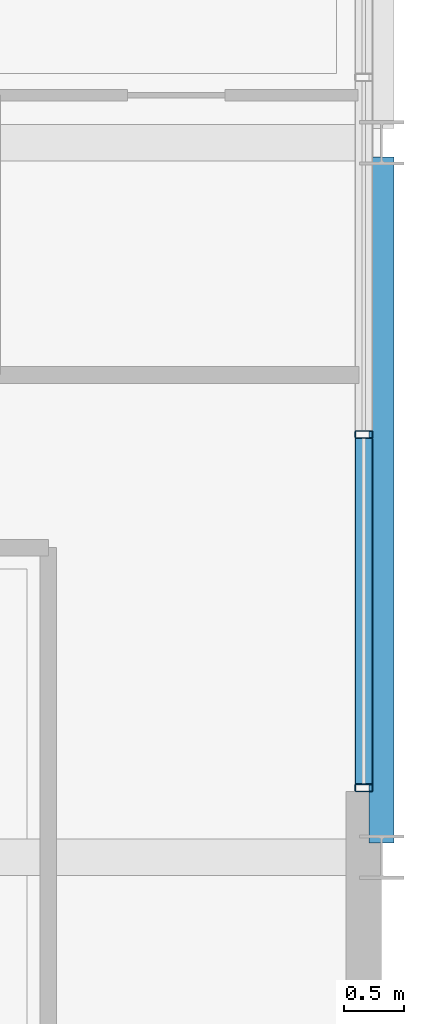
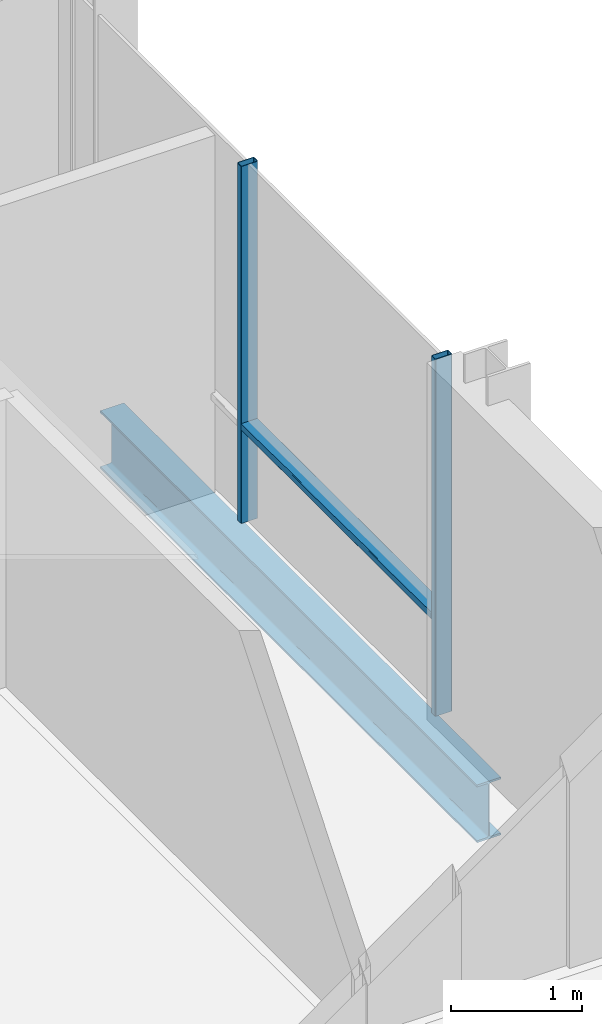
# One storey, part 14 of 35: 3 members, 1 beam, 1 element without a shape of its own.
"""IFC4 building model written with IfcOpenShell, lengths in metres."""

from ifc_helpers import new_model, si_unit, direction, frame, origin, origin_2d, place, context, subcontext, project, spatial, hollow_rectangle, i_section, extrude, material, layer, layer_set, material_profile, profile_set, type_object, element, aggregate, save


model = new_model("IFC4")

# Units and contexts
model_context = context("Model", 3, precision=1e-05, world=origin(), true_north=direction((0.0, 1.0)))
body_context = subcontext(model_context, "Body", "Model", "MODEL_VIEW")
ifc_project = project(units=[si_unit("LENGTHUNIT", "METRE"), si_unit("AREAUNIT", "SQUARE_METRE"), si_unit("VOLUMEUNIT", "CUBIC_METRE"), si_unit("PLANEANGLEUNIT", "RADIAN"), si_unit("MASSUNIT", "GRAM", prefix="KILO")], contexts=[model_context])

# Site, building, storey
site_placement = place(None, origin())
site = spatial("IfcSite", under=ifc_project, at=site_placement, CompositionType="ELEMENT")
building_placement = place(site_placement, origin())
building = spatial("IfcBuilding", under=site, at=building_placement, Name="Brevholm Reach", CompositionType="ELEMENT")
storey_placement = place(building_placement, frame((0.0, 0.0, 214.39990234375)))
storey = spatial("IfcBuildingStorey", under=building, at=storey_placement, Name="L65", CompositionType="ELEMENT", Elevation=214.39990234375)

# Beam
ifc_material_1 = material(Name="Structural Steel S355J2", Category="steel")
ifc_material_profile_1 = material_profile(ifc_material_1, i_section(OverallWidth=0.210693359375, OverallDepth=0.53955078125, WebThickness=0.01171875, FlangeThickness=0.018798828125, FilletRadius=0.0126953125, at=origin_2d()), Name="UKB 533x210x109")
ifc_profile_set_1 = profile_set([ifc_material_profile_1], Name="Structural Steel S355J2")
beam_type = type_object("IfcBeamType", Name="BM-SP539", PredefinedType="SPANDREL", material=ifc_profile_set_1)
beam_placement = place(storey_placement, frame((60.0, 10.1201171875, -0.689697265625), z_axis=(0.0, 1.0, 0.0), x_axis=(-1.0, 0.0, 0.0)))
element("IfcBeam", 1, at=beam_placement, inside=storey, type_object=beam_type, Name="L65 SP-01B Framing Beam", PredefinedType="SPANDREL", context=body_context, shape_type="SweptSolid", body=[
    extrude(i_section(OverallWidth=0.210693359375, OverallDepth=0.53955078125, WebThickness=0.01171875, FlangeThickness=0.018798828125, FilletRadius=0.0126953125, at=origin_2d()), origin(), (0.0, 0.0, 1.0), 5.759765625),
])

# Curtain wall, members
ifc_material_2 = material(Name="Dark Anodised Aluminium 6063-T6 and Solar-Control Glass", Category="aluminium")
ifc_layer = layer(ifc_material_2, 0.14990234375)
ifc_layer_set = layer_set([ifc_layer], Name="Dark Anodised Aluminium 6063-T6 and Solar-Control Glass")
curtain_wall_type = type_object("IfcCurtainWallType", Name="CW-01", PredefinedType="NOTDEFINED", material=ifc_layer_set)
curtain_wall_placement = place(storey_placement, origin())
curtain_wall = element("IfcCurtainWall", 2, at=curtain_wall_placement, inside=storey, type_object=curtain_wall_type, Name="L65 Curtain Wall CW-01", PredefinedType="NOTDEFINED")
ifc_material_3 = material(Name="Dark Anodised Aluminium 6063-T6", Category="aluminium")
ifc_material_profile_2 = material_profile(ifc_material_3, hollow_rectangle(XDim=0.06494140625, YDim=0.14990234375, WallThickness=0.0048828125, InnerFilletRadius=0.0048828125, OuterFilletRadius=0.010009765625, at=origin_2d()), Name="RHS 150x65x5")
ifc_profile_set_2 = profile_set([ifc_material_profile_2], Name="Dark Anodised Aluminium 6063-T6")
member_type_1 = type_object("IfcMemberType", Name="CWM-150", PredefinedType="MULLION", material=ifc_profile_set_2)
member_1_placement = place(storey_placement, frame((59.85009765625, 10.58251953125, 0.0), z_axis=(0.0, 0.0, 1.0), x_axis=(0.0, 1.0, 0.0)))
member_1 = element("IfcMember", 3, at=member_1_placement, type_object=member_type_1, Name="CM-150 Mullion 1", PredefinedType="MULLION", context=body_context, shape_type="SweptSolid", body=[
    extrude(hollow_rectangle(XDim=0.06494140625, YDim=0.14990234375, WallThickness=0.0048828125, InnerFilletRadius=0.0048828125, OuterFilletRadius=0.010009765625, at=origin_2d()), origin(), (0.0, 0.0, 1.0), 3.330078125),
])
member_2_placement = place(storey_placement, frame((59.85009765625, 13.550048828125, 0.0), z_axis=(0.0, 0.0, 1.0), x_axis=(0.0, 1.0, 0.0)))
member_2 = element("IfcMember", 4, at=member_2_placement, type_object=member_type_1, Name="CM-150 Mullion 2", PredefinedType="MULLION", context=body_context, shape_type="SweptSolid", body=[
    extrude(hollow_rectangle(XDim=0.06494140625, YDim=0.14990234375, WallThickness=0.0048828125, InnerFilletRadius=0.0048828125, OuterFilletRadius=0.010009765625, at=origin_2d()), origin(), (0.0, 0.0, 1.0), 3.330078125),
])
ifc_material_4 = material(Name="Dark Anodised Aluminium 6063-T6", Category="aluminium")
ifc_material_profile_3 = material_profile(ifc_material_4, hollow_rectangle(XDim=0.06494140625, YDim=0.14990234375, WallThickness=0.0048828125, InnerFilletRadius=0.0048828125, OuterFilletRadius=0.010009765625, at=origin_2d()), Name="RHS 150x65x5")
ifc_profile_set_3 = profile_set([ifc_material_profile_3], Name="Dark Anodised Aluminium 6063-T6")
member_type_2 = type_object("IfcMemberType", Name="CWT-150", PredefinedType="NOTDEFINED", material=ifc_profile_set_3)
member_3_placement = place(storey_placement, frame((59.85009765625, 10.614990234375, 0.900146484375), z_axis=(0.0, 1.0, 0.0), x_axis=(0.0, 0.0, 1.0)))
member_3 = element("IfcMember", 5, at=member_3_placement, type_object=member_type_2, Name="CT-150 Transom 1.1", ObjectType="TRANSOM", PredefinedType="USERDEFINED", context=body_context, shape_type="SweptSolid", body=[
    extrude(hollow_rectangle(XDim=0.06494140625, YDim=0.14990234375, WallThickness=0.0048828125, InnerFilletRadius=0.0048828125, OuterFilletRadius=0.010009765625, at=origin_2d()), origin(), (0.0, 0.0, 1.0), 2.902587890625),
])
aggregate(curtain_wall, [member_1, member_2, member_3])

save(model, "model.ifc")
